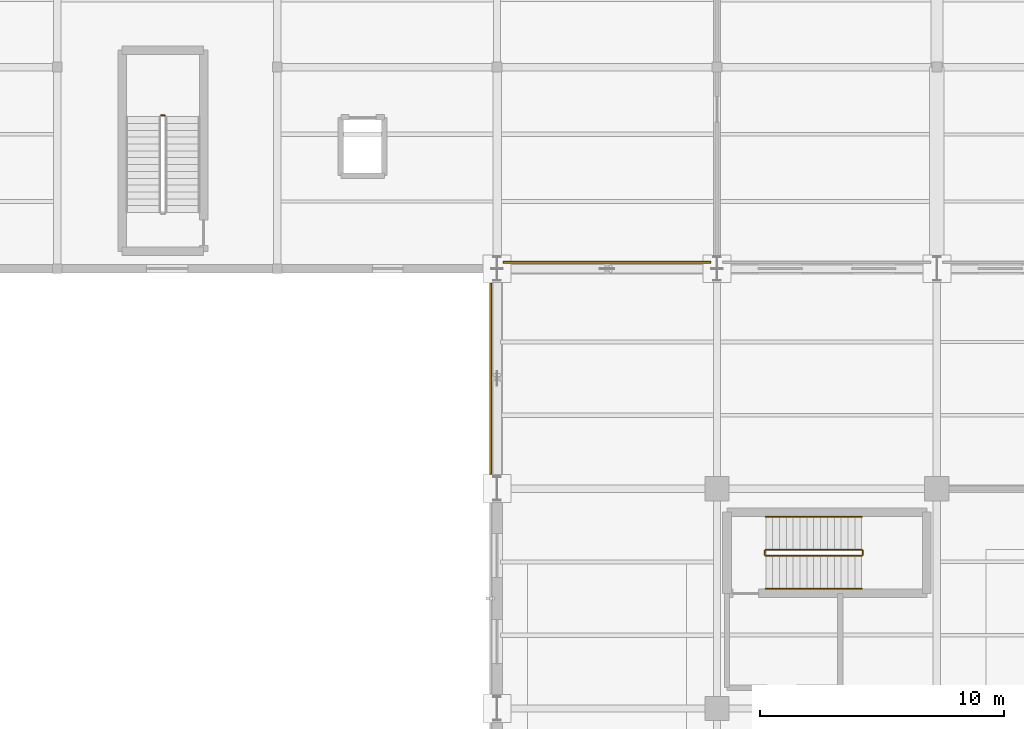
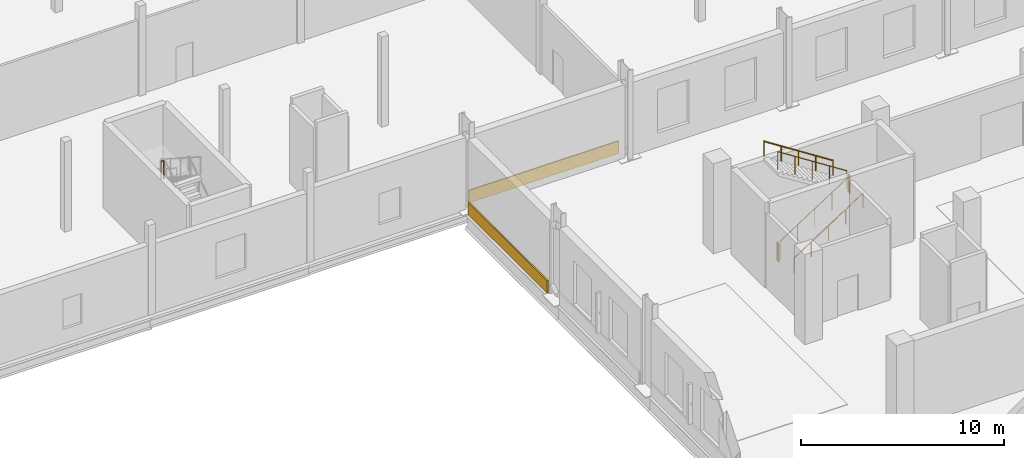
# One storey, part 135 of 141: 7 railings, 2 coverings.
"""IFC4 building model written with IfcOpenShell, lengths in metres."""

from ifc_helpers import new_model, si_unit, direction, frame, origin, origin_2d, place, context, subcontext, project, spatial, rectangle, circle, extrude, material, layer, layer_set, type_object, element, save


model = new_model("IFC4")

# Units and contexts
model_context = context("Model", 3, precision=1e-05, world=origin(), true_north=direction((0.0, 1.0)))
body_context = subcontext(model_context, "Body", "Model", "MODEL_VIEW")
ifc_project = project(units=[si_unit("LENGTHUNIT", "METRE"), si_unit("AREAUNIT", "SQUARE_METRE"), si_unit("VOLUMEUNIT", "CUBIC_METRE"), si_unit("PLANEANGLEUNIT", "RADIAN"), si_unit("MASSUNIT", "GRAM", prefix="KILO")], contexts=[model_context])

# Site, building, storey
site_placement = place(None, origin())
site = spatial("IfcSite", under=ifc_project, at=site_placement, CompositionType="ELEMENT")
building_placement = place(site_placement, origin())
building = spatial("IfcBuilding", under=site, at=building_placement, Name="Sundgate Opera House", CompositionType="ELEMENT")
storey_placement = place(building_placement, frame((0.0, 0.0, 11.39990234375)))
storey = spatial("IfcBuildingStorey", under=building, at=storey_placement, Name="L02", CompositionType="ELEMENT", Elevation=11.39990234375)

# Coverings
ifc_material_1 = material(Name="Frost-proof vitrified stoneware trencadis relief tile", Category="masonry")
ifc_layer_1 = layer(ifc_material_1, 0.074951171875)
ifc_layer_set_1 = layer_set([ifc_layer_1], Name="Frost-proof vitrified stoneware trencadis relief tile")
covering_type_1 = type_object("IfcCoveringType", Name="CV-TRENC-RELIEF", PredefinedType="CLADDING", material=ifc_layer_set_1)
covering_1_placement = place(storey_placement, frame((31.5, 87.257568359375, 0.045166015625), z_axis=(0.0, 0.0, 1.0), x_axis=(1.0, 0.0, 0.0)))
element("IfcCovering", 1, at=covering_1_placement, inside=storey, type_object=covering_type_1, Name="L02 Trencadis 750mm Relief Band CV0002", PredefinedType="CLADDING", context=body_context, shape_type="SweptSolid", body=[
    extrude(rectangle(XDim=8.510009765625, YDim=0.074951171875, at=origin_2d()), origin(), (0.0, 0.0, 1.0), 0.75),
])
ifc_material_2 = material(Name="Polychrome trencadis mosaic panel", Category="masonry")
ifc_layer_2 = layer(ifc_material_2, 0.054931640625)
ifc_layer_set_2 = layer_set([ifc_layer_2], Name="Polychrome trencadis mosaic panel")
covering_type_2 = type_object("IfcCoveringType", Name="CV-TRENC-SLIM", PredefinedType="CLADDING", material=ifc_layer_set_2)
covering_2_placement = place(storey_placement, frame((26.742431640625, 82.5, 0.045166015625), z_axis=(0.0, 0.0, 1.0), x_axis=(0.0, 1.0, 0.0)))
element("IfcCovering", 2, at=covering_2_placement, inside=storey, type_object=covering_type_2, Name="L02 Trencadis 750mm Relief Band CV0023", PredefinedType="CLADDING", context=body_context, shape_type="SweptSolid", body=[
    extrude(rectangle(XDim=7.81005859375, YDim=0.074951171875, at=origin_2d()), origin(), (0.0, 0.0, 1.0), 0.75),
])

# Railings
ifc_material_3 = material(Name="Painted steel S275 guardrail", Category="steel")
railing_type_1 = type_object("IfcRailingType", Name="RL-STAIR-GUARD-1100", PredefinedType="GUARDRAIL", material=ifc_material_3)
railing_1_placement = place(storey_placement, frame((38.0, 75.25, 0.18017578125)))
element("IfcRailing", 3, at=railing_1_placement, inside=storey, type_object=railing_type_1, Name="ST02L02 Guardrail RL0065", PredefinedType="GUARDRAIL", context=body_context, shape_type="SweptSolid", body=[
    extrude(circle(Radius=0.02392578125, at=origin_2d()), frame((0.0, 0.0, 1.076171875), z_axis=(0.841171666519, 0.0, 0.540768182723), x_axis=(0.0, 1.0, 0.0)), (0.0, 0.0, 1.0), 4.66015625),
    extrude(circle(Radius=0.02099609375, at=origin_2d()), origin(), (0.0, 0.0, 1.0), 1.052001953125),
    extrude(circle(Radius=0.02099609375, at=origin_2d()), frame((0.97998046875, 0.0, 0.6298828125)), (0.0, 0.0, 1.0), 1.052001953125),
    extrude(circle(Radius=0.02099609375, at=origin_2d()), frame((1.9599609375, 0.0, 1.260009765625)), (0.0, 0.0, 1.0), 1.052001953125),
    extrude(circle(Radius=0.02099609375, at=origin_2d()), frame((2.93994140625, 0.0, 1.89013671875)), (0.0, 0.0, 1.0), 1.052001953125),
    extrude(circle(Radius=0.02099609375, at=origin_2d()), frame((3.919921875, 0.0, 2.52001953125)), (0.0, 0.0, 1.0), 1.052001953125),
])
railing_2_placement = place(storey_placement, frame((41.969970703125, 75.300048828125, 2.7001953125)))
element("IfcRailing", 4, at=railing_2_placement, inside=storey, type_object=railing_type_1, Name="ST02L02 Guardrail RL0066", PredefinedType="GUARDRAIL", context=body_context, shape_type="SweptSolid", body=[
    extrude(circle(Radius=0.02392578125, at=origin_2d()), frame((0.0, 0.0, 1.076171875), z_axis=(0.0, 1.0, 0.0), x_axis=(-1.0, 0.0, 0.0)), (0.0, 0.0, 1.0), 0.14990234375),
    extrude(circle(Radius=0.02099609375, at=origin_2d()), origin(), (0.0, 0.0, 1.0), 1.052001953125),
    extrude(circle(Radius=0.02099609375, at=origin_2d()), frame((0.0, 0.14990234375, 0.0)), (0.0, 0.0, 1.0), 1.052001953125),
])
railing_3_placement = place(storey_placement, frame((41.919921875, 75.5, 2.880126953125)))
element("IfcRailing", 5, at=railing_3_placement, inside=storey, type_object=railing_type_1, Name="ST02L02 Guardrail RL0067", PredefinedType="GUARDRAIL", context=body_context, shape_type="SweptSolid", body=[
    extrude(circle(Radius=0.02392578125, at=origin_2d()), frame((0.0, 0.0, 1.076171875), z_axis=(-0.841171666519, 0.0, 0.540768182723), x_axis=(0.0, -1.0, 0.0)), (0.0, 0.0, 1.0), 4.66015625),
    extrude(circle(Radius=0.02099609375, at=origin_2d()), origin(), (0.0, 0.0, 1.0), 1.052001953125),
    extrude(circle(Radius=0.02099609375, at=origin_2d()), frame((-0.97998046875, 0.0, 0.6298828125)), (0.0, 0.0, 1.0), 1.052001953125),
    extrude(circle(Radius=0.02099609375, at=origin_2d()), frame((-1.9599609375, 0.0, 1.260009765625)), (0.0, 0.0, 1.0), 1.052001953125),
    extrude(circle(Radius=0.02099609375, at=origin_2d()), frame((-2.93994140625, 0.0, 1.89013671875)), (0.0, 0.0, 1.0), 1.052001953125),
    extrude(circle(Radius=0.02099609375, at=origin_2d()), frame((-3.919921875, 0.0, 2.52001953125)), (0.0, 0.0, 1.0), 1.052001953125),
])
railing_4_placement = place(storey_placement, frame((37.949951171875, 75.300048828125, 0.0)))
element("IfcRailing", 6, at=railing_4_placement, inside=storey, type_object=railing_type_1, Name="ST02L02 Guardrail RL0068", PredefinedType="GUARDRAIL", context=body_context, shape_type="SweptSolid", body=[
    extrude(circle(Radius=0.02392578125, at=origin_2d()), frame((0.0, 0.0, 1.076171875), z_axis=(0.0, 1.0, 0.0), x_axis=(-1.0, 0.0, 0.0)), (0.0, 0.0, 1.0), 0.14990234375),
    extrude(circle(Radius=0.02099609375, at=origin_2d()), origin(), (0.0, 0.0, 1.0), 1.052001953125),
    extrude(circle(Radius=0.02099609375, at=origin_2d()), frame((0.0, 0.14990234375, 0.0)), (0.0, 0.0, 1.0), 1.052001953125),
])
railing_5_placement = place(storey_placement, frame((13.39990234375, 93.27001953125, 2.7001953125)))
element("IfcRailing", 7, at=railing_5_placement, inside=storey, type_object=railing_type_1, Name="ST08L02 Guardrail RL0270", PredefinedType="GUARDRAIL", context=body_context, shape_type="SweptSolid", body=[
    extrude(circle(Radius=0.02392578125, at=origin_2d()), frame((0.0, 0.0, 1.076171875), z_axis=(-1.0, 0.0, 0.0), x_axis=(0.0, -1.0, 0.0)), (0.0, 0.0, 1.0), 0.14990234375),
    extrude(circle(Radius=0.02099609375, at=origin_2d()), origin(), (0.0, 0.0, 1.0), 1.052001953125),
    extrude(circle(Radius=0.02099609375, at=origin_2d()), frame((-0.14990234375, 0.0, 0.0)), (0.0, 0.0, 1.0), 1.052001953125),
])
ifc_material_4 = material(Name="Brushed stainless steel handrail", Category="steel")
railing_type_2 = type_object("IfcRailingType", Name="RL-STAIR-HAND-900", PredefinedType="HANDRAIL", material=ifc_material_4)
railing_6_placement = place(storey_placement, frame((38.0, 73.89990234375, 0.18017578125)))
element("IfcRailing", 8, at=railing_6_placement, inside=storey, type_object=railing_type_2, Name="ST02L02 Handrail RL0069", PredefinedType="HANDRAIL", context=body_context, shape_type="SweptSolid", body=[
    extrude(circle(Radius=0.02392578125, at=origin_2d()), frame((0.0, 0.0, 0.8759765625), z_axis=(0.841171666519, 0.0, 0.540768182723), x_axis=(0.0, 1.0, 0.0)), (0.0, 0.0, 1.0), 4.66015625),
    extrude(circle(Radius=0.02099609375, at=origin_2d()), origin(), (0.0, 0.0, 1.0), 0.851806640625),
    extrude(circle(Radius=0.02099609375, at=origin_2d()), frame((0.97998046875, 0.0, 0.6298828125)), (0.0, 0.0, 1.0), 0.851806640625),
    extrude(circle(Radius=0.02099609375, at=origin_2d()), frame((1.9599609375, 0.0, 1.260009765625)), (0.0, 0.0, 1.0), 0.851806640625),
    extrude(circle(Radius=0.02099609375, at=origin_2d()), frame((2.93994140625, 0.0, 1.89013671875)), (0.0, 0.0, 1.0), 0.851806640625),
    extrude(circle(Radius=0.02099609375, at=origin_2d()), frame((3.919921875, 0.0, 2.52001953125)), (0.0, 0.0, 1.0), 0.851806640625),
])
railing_7_placement = place(storey_placement, frame((41.919921875, 76.85009765625, 2.880126953125)))
element("IfcRailing", 9, at=railing_7_placement, inside=storey, type_object=railing_type_2, Name="ST02L02 Handrail RL0070", PredefinedType="HANDRAIL", context=body_context, shape_type="SweptSolid", body=[
    extrude(circle(Radius=0.02392578125, at=origin_2d()), frame((0.0, 0.0, 0.8759765625), z_axis=(-0.841171666519, 0.0, 0.540768182723), x_axis=(0.0, -1.0, 0.0)), (0.0, 0.0, 1.0), 4.66015625),
    extrude(circle(Radius=0.02099609375, at=origin_2d()), origin(), (0.0, 0.0, 1.0), 0.851806640625),
    extrude(circle(Radius=0.02099609375, at=origin_2d()), frame((-0.97998046875, 0.0, 0.6298828125)), (0.0, 0.0, 1.0), 0.851806640625),
    extrude(circle(Radius=0.02099609375, at=origin_2d()), frame((-1.9599609375, 0.0, 1.260009765625)), (0.0, 0.0, 1.0), 0.851806640625),
    extrude(circle(Radius=0.02099609375, at=origin_2d()), frame((-2.93994140625, 0.0, 1.89013671875)), (0.0, 0.0, 1.0), 0.851806640625),
    extrude(circle(Radius=0.02099609375, at=origin_2d()), frame((-3.919921875, 0.0, 2.52001953125)), (0.0, 0.0, 1.0), 0.851806640625),
])

save(model, "model.ifc")
